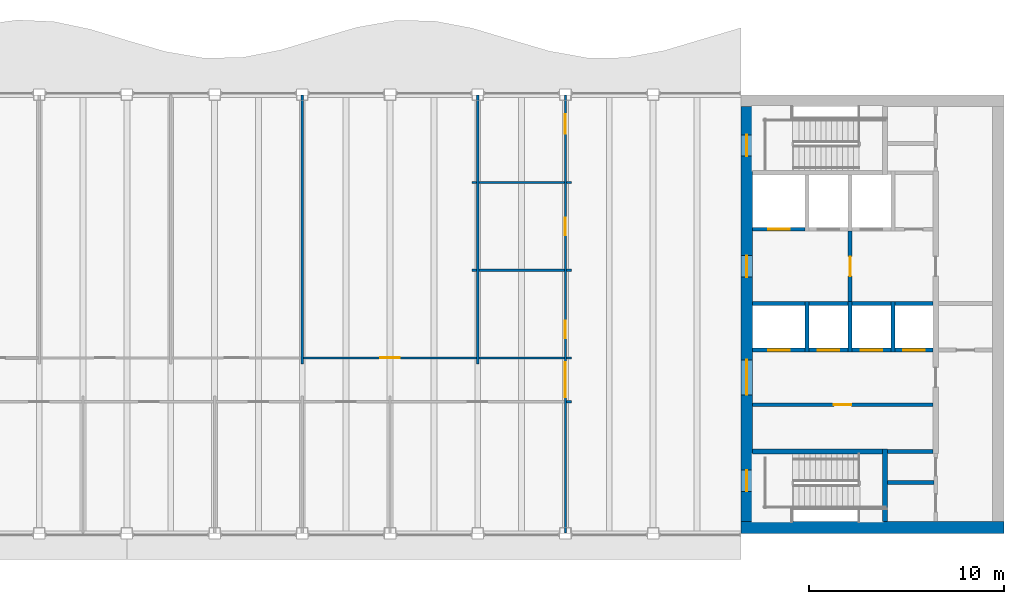
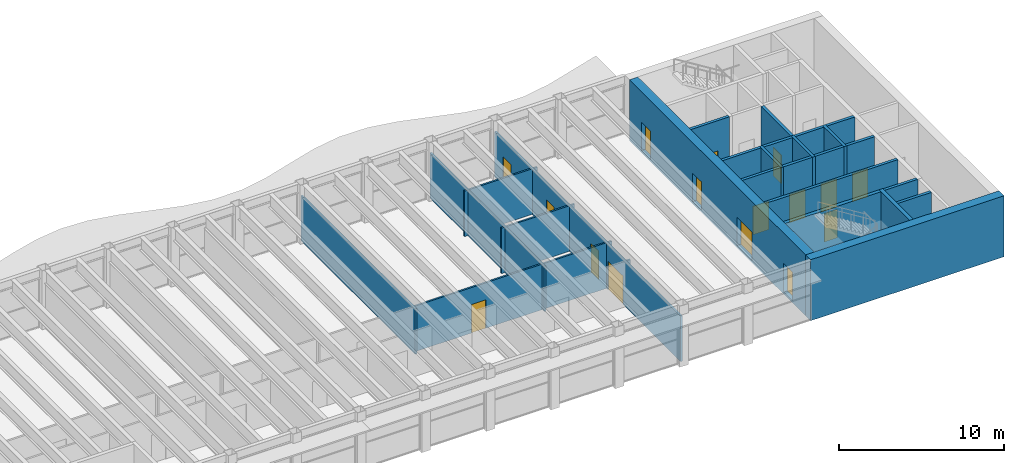
# One storey, part 9 of 14: 33 walls, 16 doors, 16 openings.
"""IFC4 building model written with IfcOpenShell, lengths in metres."""

import ifcopenshell
import ifcopenshell.guid

model = None  # the IFC model being written
_history = None  # IfcOwnerHistory: only IFC2X3 demands one
_inside = {}  # id of a spatial element -> (the spatial element, [elements in it])
_under = {}  # id of a project, library or spatial element -> (it, [spatial elements below it])
_declared = {}  # id of a project -> (the project, [libraries it declares])
_typed = {}  # id of a type object -> (the type object, [elements of that type])
_made_of = {}  # id of a material, layer set ... -> (it, [elements and type objects made of it])


def new_model(schema):
    """Start an empty IFC model of exactly this schema.

    Asked for "IFC4X3", IfcOpenShell would pick the latest addendum, in which some entities
    have other attributes; the version numbers below select the first issue.
    IFC2X3 requires an IfcOwnerHistory on every rooted entity: one is made here for all.
    """
    global model, _history
    if schema == "IFC4X3":
        model = ifcopenshell.file(schema_version=(4, 3, 0, 0))
    else:
        model = ifcopenshell.file(schema=schema)
    _inside.clear()
    _under.clear()
    _declared.clear()
    _typed.clear()
    _made_of.clear()
    _history = None
    if model.schema == "IFC2X3":
        org = make("IfcOrganization", Name="unknown")
        user = make(
            "IfcPersonAndOrganization",
            ThePerson=make("IfcPerson", FamilyName="unknown"),
            TheOrganization=org,
        )
        app = make(
            "IfcApplication",
            ApplicationDeveloper=org,
            Version="unknown",
            ApplicationFullName="unknown",
            ApplicationIdentifier="unknown",
        )
        _history = make(
            "IfcOwnerHistory",
            OwningUser=user,
            OwningApplication=app,
            ChangeAction="ADDED",
            CreationDate=0,
        )
    return model


def make(cls, **values):
    """One entity of the class cls with the attributes given. An attribute that is None is left unset."""
    return model.create_entity(
        cls, **{name: value for name, value in values.items() if value is not None}
    )


def rooted(cls, **values):
    """An entity with a GlobalId (a new one), such as an element, a storey or a relation."""
    return make(cls, GlobalId=ifcopenshell.guid.new(), OwnerHistory=_history, **values)


def si_unit(unit_type, name, prefix=None):
    """IfcSIUnit, for example si_unit("LENGTHUNIT", "METRE", prefix="MILLI")."""
    return make("IfcSIUnit", UnitType=unit_type, Prefix=prefix, Name=name)


def assignment(units):
    """IfcUnitAssignment: the units of a project."""
    return None if units is None else make("IfcUnitAssignment", Units=units)


def point(xyz):
    """IfcCartesianPoint."""
    return None if xyz is None else make("IfcCartesianPoint", Coordinates=xyz)


def direction(xyz):
    """IfcDirection."""
    return None if xyz is None else make("IfcDirection", DirectionRatios=xyz)


def frame(location, z_axis=None, x_axis=None):
    """IfcAxis2Placement3D, a coordinate frame: its origin and axes. An axis left out is left unset."""
    return make(
        "IfcAxis2Placement3D",
        Location=point(location),
        Axis=direction(z_axis),
        RefDirection=direction(x_axis),
    )


def frame_2d(location, x_axis=None):
    """IfcAxis2Placement2D, a coordinate frame in the plane: its origin and x axis."""
    return make(
        "IfcAxis2Placement2D", Location=point(location), RefDirection=direction(x_axis)
    )


def origin():
    """The frame at (0, 0, 0) with its axes left unset."""
    return frame((0.0, 0.0, 0.0))


def place(relative_to, where):
    """IfcLocalPlacement: puts the frame where relative to a parent placement (None: the world)."""
    return make(
        "IfcLocalPlacement", PlacementRelTo=relative_to, RelativePlacement=where
    )


def context(
    kind, dimensions, precision=None, world=None, true_north=None, identifier=None
):
    """IfcGeometricRepresentationContext, for example the 3D "Model" context."""
    return make(
        "IfcGeometricRepresentationContext",
        ContextIdentifier=identifier,
        ContextType=kind,
        CoordinateSpaceDimension=dimensions,
        Precision=precision,
        WorldCoordinateSystem=world,
        TrueNorth=true_north,
    )


def subcontext(parent, identifier, kind, view, scale=None):
    """IfcGeometricRepresentationSubContext, for example "Body" below "Model"."""
    return make(
        "IfcGeometricRepresentationSubContext",
        ContextIdentifier=identifier,
        ContextType=kind,
        ParentContext=parent,
        TargetScale=scale,
        TargetView=view,
    )


def project(units=None, contexts=None):
    """IfcProject with its units and contexts."""
    return rooted(
        "IfcProject",
        Name="project",
        RepresentationContexts=contexts,
        UnitsInContext=assignment(units),
    )


def spatial(cls, under=None, at=None, **own):
    """A site, building, storey or space (cls), placed at a placement, below another one or the project."""
    s = rooted(cls, ObjectPlacement=at, **own)
    if under is not None:
        _under.setdefault(under.id(), (under, []))[1].append(s)
    return s


def profile(cls, at=None, kind="AREA", **sizes):
    """A parametric profile (cls). Its sizes go by their IFC names, for example OverallWidth=200.0."""
    return make(cls, ProfileType=kind, Position=at, **sizes)


def rectangle(**sizes):
    """IfcRectangleProfileDef."""
    return profile("IfcRectangleProfileDef", **sizes)


def extrude(swept, where, along, depth):
    """IfcExtrudedAreaSolid: the profile swept, set in the frame where, extruded along a direction by depth."""
    return make(
        "IfcExtrudedAreaSolid",
        SweptArea=swept,
        Position=where,
        ExtrudedDirection=direction(along),
        Depth=depth,
    )


def shape(context_of_items, identifier, shape_type, items):
    """IfcShapeRepresentation: the items that make up one representation, for example the "Body"."""
    return make(
        "IfcShapeRepresentation",
        ContextOfItems=context_of_items,
        RepresentationIdentifier=identifier,
        RepresentationType=shape_type,
        Items=items,
    )


def material(Name=None, Category=None):
    """IfcMaterial."""
    return make("IfcMaterial", Name=Name, Category=Category)


def layer(
    of_material, thickness, ventilated=None, Name=None, Category=None, Priority=None
):
    """IfcMaterialLayer: one layer of a wall or slab, of a material (None: an air gap)."""
    return make(
        "IfcMaterialLayer",
        Material=of_material,
        LayerThickness=thickness,
        IsVentilated=ventilated,
        Name=Name,
        Category=Category,
        Priority=Priority,
    )


def layer_set(layers, Name=None):
    """IfcMaterialLayerSet."""
    return make("IfcMaterialLayerSet", MaterialLayers=layers, LayerSetName=Name)


def made_of(thing, what):
    """Note that an element or type object is made of a material, layer set ...; save() writes the relation."""
    if what is not None:
        _made_of.setdefault(what.id(), (what, []))[1].append(thing)
    return thing


def type_object(cls, material=None, **own):
    """A type object (cls), such as IfcWallType, which elements share."""
    return made_of(rooted(cls, **own), material)


def element(
    cls,
    number,
    at=None,
    inside=None,
    cuts=None,
    type_object=None,
    material=None,
    context=None,
    identifier="Body",
    shape_type=None,
    held_by="IfcProductDefinitionShape",
    body=None,
    shapes=None,
    **own,
):
    """One element of the class cls, such as IfcWall. Its Tag is "e" and its number.

    at: its placement. inside: the storey or other place that contains it. cuts: it is an
    opening in that element (IfcRelVoidsElement). A single representation is given by context,
    identifier, shape_type and body (its items); several are given by shapes. held_by: the class
    of the entity that holds the representations. save() writes the other relations.
    """
    e = rooted(cls, Tag="e%d" % number, ObjectPlacement=at, **own)
    if body is not None:
        shapes = [shape(context, identifier, shape_type, body)]
    if shapes is not None:
        e.Representation = make(held_by, Representations=shapes)
    if inside is not None:
        _inside.setdefault(inside.id(), (inside, []))[1].append(e)
    if cuts is not None:
        rooted(
            "IfcRelVoidsElement", RelatingBuildingElement=cuts, RelatedOpeningElement=e
        )
    if type_object is not None:
        _typed.setdefault(type_object.id(), (type_object, []))[1].append(e)
    return made_of(e, material)


def fill(opening, filler):
    """IfcRelFillsElement: the door or window that sits in an opening."""
    return rooted(
        "IfcRelFillsElement",
        RelatingOpeningElement=opening,
        RelatedBuildingElement=filler,
    )


def aggregate(whole, parts):
    """IfcRelAggregates: a whole, such as a stair, and the parts it consists of."""
    return rooted("IfcRelAggregates", RelatingObject=whole, RelatedObjects=parts)


def save(model, path):
    """Write the relations noted so far, then the file.

    IfcRelAggregates (storeys below a building ...), IfcRelContainedInSpatialStructure (elements
    in a storey), IfcRelDefinesByType, IfcRelAssociatesMaterial and IfcRelDeclares: one each for
    every whole, place, type object, material and project.
    """
    for whole, parts in _under.values():
        aggregate(whole, parts)
    for where, things in _inside.values():
        rooted(
            "IfcRelContainedInSpatialStructure",
            RelatedElements=things,
            RelatingStructure=where,
        )
    for kind, things in _typed.values():
        rooted("IfcRelDefinesByType", RelatedObjects=things, RelatingType=kind)
    for what, things in _made_of.values():
        rooted("IfcRelAssociatesMaterial", RelatedObjects=things, RelatingMaterial=what)
    for by, libraries in _declared.values():
        rooted("IfcRelDeclares", RelatingContext=by, RelatedDefinitions=libraries)
    model.write(path)


model = new_model("IFC4")

# Units and contexts
model_context = context("Model", 3, precision=1e-05, world=origin(), true_north=direction((0.0, 1.0)))
body_context = subcontext(model_context, "Body", "Model", "MODEL_VIEW")
ifc_project = project(units=[si_unit("LENGTHUNIT", "METRE"), si_unit("AREAUNIT", "SQUARE_METRE"), si_unit("VOLUMEUNIT", "CUBIC_METRE"), si_unit("PLANEANGLEUNIT", "RADIAN"), si_unit("MASSUNIT", "GRAM", prefix="KILO")], contexts=[model_context])

# Site, building, storey
site_placement = place(None, origin())
site = spatial("IfcSite", under=ifc_project, at=site_placement, CompositionType="ELEMENT")
building_placement = place(site_placement, origin())
building = spatial("IfcBuilding", under=site, at=building_placement, Name="Sennacour Bend Tower", CompositionType="ELEMENT")
storey_placement = place(building_placement, frame((0.0, 0.0, 336.5)))
storey = spatial("IfcBuildingStorey", under=building, at=storey_placement, Name="L77", CompositionType="ELEMENT", Elevation=336.5)

# Wall
ifc_material_1 = material(Name="Concrete C50/60", Category="concrete")
ifc_layer_1 = layer(ifc_material_1, 0.60009765625, Name="Concrete C50/60", Category="concrete")
ifc_layer_set_1 = layer_set([ifc_layer_1], Name="Concrete C50/60")
wall_type_1 = type_object("IfcWallType", Name="Core wall 600 C50/60", PredefinedType="SHEAR", material=ifc_layer_set_1)
wall_1_placement = place(storey_placement, frame((67.5, 0.300048828125, -0.14990234375), z_axis=(0.0, 0.0, 1.0), x_axis=(-1.0, 0.0, 0.0)))
element("IfcWall", 1, at=wall_1_placement, inside=storey, type_object=wall_type_1, Name="Core A wall L77 S", PredefinedType="SHEAR", context=body_context, shape_type="SweptSolid", body=[
    extrude(rectangle(XDim=13.5, YDim=0.60009765625, at=frame_2d((6.75, 0.0))), origin(), (0.0, 0.0, 1.0), 4.5),
])

# Wall, openings, doors
wall_2_placement = place(storey_placement, frame((54.300048828125, 0.60009765625, -0.14990234375), z_axis=(0.0, 0.0, 1.0), x_axis=(0.0, 1.0, 0.0)))
wall_2 = element("IfcWall", 2, at=wall_2_placement, inside=storey, type_object=wall_type_1, Name="Core A wall L77 W", PredefinedType="SHEAR", context=body_context, shape_type="SweptSolid", body=[
    extrude(rectangle(XDim=21.2998046875, YDim=0.60009765625, at=frame_2d((10.64990234375, 0.0))), origin(), (0.0, 0.0, 1.0), 4.5),
])
opening_1_placement = place(wall_2_placement, frame((6.5, 0.0, 0.14990234375)))
opening_1 = element("IfcOpeningElement", 3, at=opening_1_placement, cuts=wall_2, Name="Opening CD", PredefinedType="OPENING", context=body_context, shape_type="SweptSolid", body=[
    extrude(rectangle(XDim=1.800048828125, YDim=2.10009765625, at=frame_2d((0.89990234375, 1.050048828125))), frame((0.0, 0.31005859375, 0.0), z_axis=(0.0, -1.0, 0.0), x_axis=(1.0, 0.0, 0.0)), (0.0, 0.0, 1.0), 0.6201171875),
])
opening_2_placement = place(wall_2_placement, frame((12.550048828125, 0.0, 0.14990234375)))
opening_2 = element("IfcOpeningElement", 4, at=opening_2_placement, cuts=wall_2, Name="Opening FD", PredefinedType="OPENING", context=body_context, shape_type="SweptSolid", body=[
    extrude(rectangle(XDim=1.10009765625, YDim=2.10009765625, at=frame_2d((0.550048828125, 1.050048828125))), frame((0.0, 0.31005859375, 0.0), z_axis=(0.0, -1.0, 0.0), x_axis=(1.0, 0.0, 0.0)), (0.0, 0.0, 1.0), 0.6201171875),
])
opening_3_placement = place(wall_2_placement, frame((1.550048828125, 0.0, 0.14990234375)))
opening_3 = element("IfcOpeningElement", 5, at=opening_3_placement, cuts=wall_2, Name="Opening SD", PredefinedType="OPENING", context=body_context, shape_type="SweptSolid", body=[
    extrude(rectangle(XDim=1.10009765625, YDim=2.10009765625, at=frame_2d((0.550048828125, 1.050048828125))), frame((0.0, 0.31005859375, 0.0), z_axis=(0.0, -1.0, 0.0), x_axis=(1.0, 0.0, 0.0)), (0.0, 0.0, 1.0), 0.6201171875),
])
opening_4_placement = place(wall_2_placement, frame((18.75, 0.0, 0.14990234375)))
opening_4 = element("IfcOpeningElement", 6, at=opening_4_placement, cuts=wall_2, Name="Opening SD", PredefinedType="OPENING", context=body_context, shape_type="SweptSolid", body=[
    extrude(rectangle(XDim=1.10009765625, YDim=2.10009765625, at=frame_2d((0.550048828125, 1.050048828125))), frame((0.0, 0.31005859375, 0.0), z_axis=(0.0, -1.0, 0.0), x_axis=(1.0, 0.0, 0.0)), (0.0, 0.0, 1.0), 0.6201171875),
])
ifc_material_2 = material(Name="Painted steel", Category="steel")
door_type_1 = type_object("IfcDoorType", Name="DR-FFL-1100", OperationType="NOTDEFINED", PredefinedType="DOOR", material=ifc_material_2)
door_1_placement = place(opening_2_placement, origin())
door_1 = element("IfcDoor", 7, at=door_1_placement, inside=storey, type_object=door_type_1, Name="Door", OperationType="SINGLE_SWING_RIGHT", OverallHeight=2.10009765625, OverallWidth=1.10009765625, PredefinedType="DOOR", context=body_context, shape_type="SweptSolid", body=[
    extrude(rectangle(XDim=1.10009765625, YDim=2.10009765625, at=frame_2d((0.550048828125, 1.050048828125))), frame((0.0, 0.02490234375, 0.0), z_axis=(0.0, -1.0, 0.0), x_axis=(1.0, 0.0, 0.0)), (0.0, 0.0, 1.0), 0.050048828125),
])
fill(opening_2, door_1)
door_type_2 = type_object("IfcDoorType", Name="DR-LOBBY-1800", OperationType="NOTDEFINED", PredefinedType="DOOR", material=ifc_material_2)
door_2_placement = place(opening_1_placement, origin())
door_2 = element("IfcDoor", 8, at=door_2_placement, inside=storey, type_object=door_type_2, Name="Door", OperationType="DOUBLE_DOOR_SINGLE_SWING", OverallHeight=2.10009765625, OverallWidth=1.800048828125, PredefinedType="DOOR", context=body_context, shape_type="SweptSolid", body=[
    extrude(rectangle(XDim=1.800048828125, YDim=2.10009765625, at=frame_2d((0.89990234375, 1.050048828125))), frame((0.0, 0.02490234375, 0.0), z_axis=(0.0, -1.0, 0.0), x_axis=(1.0, 0.0, 0.0)), (0.0, 0.0, 1.0), 0.050048828125),
])
fill(opening_1, door_2)
door_type_3 = type_object("IfcDoorType", Name="DR-STAIR-1100", OperationType="NOTDEFINED", PredefinedType="DOOR", material=ifc_material_2)
door_3_placement = place(opening_3_placement, origin())
door_3 = element("IfcDoor", 9, at=door_3_placement, inside=storey, type_object=door_type_3, Name="Door", OperationType="SINGLE_SWING_LEFT", OverallHeight=2.10009765625, OverallWidth=1.10009765625, PredefinedType="DOOR", context=body_context, shape_type="SweptSolid", body=[
    extrude(rectangle(XDim=1.10009765625, YDim=2.10009765625, at=frame_2d((0.550048828125, 1.050048828125))), frame((0.0, 0.02490234375, 0.0), z_axis=(0.0, -1.0, 0.0), x_axis=(1.0, 0.0, 0.0)), (0.0, 0.0, 1.0), 0.050048828125),
])
fill(opening_3, door_3)
door_4_placement = place(opening_4_placement, origin())
door_4 = element("IfcDoor", 10, at=door_4_placement, inside=storey, type_object=door_type_3, Name="Door", OperationType="SINGLE_SWING_RIGHT", OverallHeight=2.10009765625, OverallWidth=1.10009765625, PredefinedType="DOOR", context=body_context, shape_type="SweptSolid", body=[
    extrude(rectangle(XDim=1.10009765625, YDim=2.10009765625, at=frame_2d((0.550048828125, 1.050048828125))), frame((0.0, 0.02490234375, 0.0), z_axis=(0.0, -1.0, 0.0), x_axis=(1.0, 0.0, 0.0)), (0.0, 0.0, 1.0), 0.050048828125),
])
fill(opening_4, door_4)

# Walls
ifc_material_3 = material(Name="Plasterboard partition on steel studs", Category="steel")
ifc_layer_2 = layer(ifc_material_3, 0.1201171875, Name="Plasterboard partition on steel studs", Category="steel")
ifc_layer_set_2 = layer_set([ifc_layer_2], Name="Plasterboard partition on steel studs")
wall_type_2 = type_object("IfcWallType", Name="Partition 120", PredefinedType="PARTITIONING", material=ifc_layer_set_2)
for number, where, z_axis, x_axis, name in (
    (11, (31.5, 8.699951171875, 0.0), (0.0, 0.0, 1.0), (0.0, 1.0, 0.0), "P-L77-W013a"),
    (12, (40.5, 8.699951171875, 0.0), (0.0, 0.0, 1.0), (0.0, 1.0, 0.0), "P-L77-W015a"),
):
    element("IfcWall", number, at=place(storey_placement, frame(where, z_axis=z_axis, x_axis=x_axis)), inside=storey, type_object=wall_type_2, Name=name, PredefinedType="PARTITIONING", context=body_context, shape_type="SweptSolid", body=[
        extrude(rectangle(XDim=13.7900390625, YDim=0.1201171875, at=frame_2d((6.89501953125, 0.0))), origin(), (0.0, 0.0, 1.0), 3.35888671875),
    ])
wall_3_placement = place(storey_placement, frame((45.06005859375, 6.75, 0.0), z_axis=(0.0, 0.0, 1.0), x_axis=(1.0, 0.0, 0.0)))
element("IfcWall", 13, at=wall_3_placement, inside=storey, type_object=wall_type_2, Name="P-L77-W037ah", PredefinedType="PARTITIONING", context=body_context, shape_type="SweptSolid", body=[
    extrude(rectangle(XDim=0.239990234375, YDim=0.1201171875, at=frame_2d((0.1201171875, 0.0))), origin(), (0.0, 0.0, 1.0), 3.35888671875),
])

# Wall, opening, door
wall_4_placement = place(storey_placement, frame((31.56005859375, 9.0, 0.0), z_axis=(0.0, 0.0, 1.0), x_axis=(1.0, 0.0, 0.0)))
wall_4 = element("IfcWall", 14, at=wall_4_placement, inside=storey, type_object=wall_type_2, Name="P-L77-W038ae", PredefinedType="PARTITIONING", context=body_context, shape_type="SweptSolid", body=[
    extrude(rectangle(XDim=8.8798828125, YDim=0.1201171875, at=frame_2d((4.43994140625, 0.0))), origin(), (0.0, 0.0, 1.0), 3.35888671875),
])
opening_5_placement = place(wall_4_placement, frame((3.93994140625, 0.0, 0.0)))
opening_5 = element("IfcOpeningElement", 15, at=opening_5_placement, cuts=wall_4, Name="Opening MD2", PredefinedType="OPENING", context=body_context, shape_type="SweptSolid", body=[
    extrude(rectangle(XDim=1.0, YDim=2.10009765625, at=frame_2d((0.5, 1.050048828125))), frame((0.0, 0.070068359375, 0.0), z_axis=(0.0, -1.0, 0.0), x_axis=(1.0, 0.0, 0.0)), (0.0, 0.0, 1.0), 0.14013671875),
])
ifc_material_4 = material(Name="Timber", Category="wood")
door_type_4 = type_object("IfcDoorType", Name="DR-MEETING-1000", OperationType="NOTDEFINED", PredefinedType="DOOR", material=ifc_material_4)
door_5_placement = place(opening_5_placement, origin())
door_5 = element("IfcDoor", 16, at=door_5_placement, inside=storey, type_object=door_type_4, Name="Door", OperationType="SINGLE_SWING_LEFT", OverallHeight=2.10009765625, OverallWidth=1.0, PredefinedType="DOOR", context=body_context, shape_type="SweptSolid", body=[
    extrude(rectangle(XDim=1.0, YDim=2.10009765625, at=frame_2d((0.5, 1.050048828125))), frame((0.0, 0.02490234375, 0.0), z_axis=(0.0, -1.0, 0.0), x_axis=(1.0, 0.0, 0.0)), (0.0, 0.0, 1.0), 0.050048828125),
])
fill(opening_5, door_5)

# Walls
wall_5_placement = place(storey_placement, frame((40.56005859375, 9.0, 0.0), z_axis=(0.0, 0.0, 1.0), x_axis=(1.0, 0.0, 0.0)))
element("IfcWall", 17, at=wall_5_placement, inside=storey, type_object=wall_type_2, Name="P-L77-W038af", PredefinedType="PARTITIONING", context=body_context, shape_type="SweptSolid", body=[
    extrude(rectangle(XDim=4.3798828125, YDim=0.1201171875, at=frame_2d((2.18994140625, 0.0))), origin(), (0.0, 0.0, 1.0), 3.35888671875),
])
for number, where, z_axis, x_axis, name in (
    (18, (45.06005859375, 9.0, 0.0), (0.0, 0.0, 1.0), (1.0, 0.0, 0.0), "P-L77-W038ag"),
    (19, (40.199951171875, 13.5, 0.0), (0.0, 0.0, 1.0), (1.0, 0.0, 0.0), "P-L77-W043aa"),
):
    element("IfcWall", number, at=place(storey_placement, frame(where, z_axis=z_axis, x_axis=x_axis)), inside=storey, type_object=wall_type_2, Name=name, PredefinedType="PARTITIONING", context=body_context, shape_type="SweptSolid", body=[
        extrude(rectangle(XDim=0.239990234375, YDim=0.1201171875, at=frame_2d((0.1201171875, 0.0))), origin(), (0.0, 0.0, 1.0), 3.35888671875),
    ])
wall_6_placement = place(storey_placement, frame((40.56005859375, 13.5, 0.0), z_axis=(0.0, 0.0, 1.0), x_axis=(1.0, 0.0, 0.0)))
element("IfcWall", 20, at=wall_6_placement, inside=storey, type_object=wall_type_2, Name="P-L77-W043ab", PredefinedType="PARTITIONING", context=body_context, shape_type="SweptSolid", body=[
    extrude(rectangle(XDim=4.3798828125, YDim=0.1201171875, at=frame_2d((2.18994140625, 0.0))), origin(), (0.0, 0.0, 1.0), 3.35888671875),
])
for number, where, z_axis, x_axis, name in (
    (21, (45.06005859375, 13.5, 0.0), (0.0, 0.0, 1.0), (1.0, 0.0, 0.0), "P-L77-W043ac"),
    (22, (40.199951171875, 18.0, 0.0), (0.0, 0.0, 1.0), (1.0, 0.0, 0.0), "P-L77-W046aa"),
):
    element("IfcWall", number, at=place(storey_placement, frame(where, z_axis=z_axis, x_axis=x_axis)), inside=storey, type_object=wall_type_2, Name=name, PredefinedType="PARTITIONING", context=body_context, shape_type="SweptSolid", body=[
        extrude(rectangle(XDim=0.239990234375, YDim=0.1201171875, at=frame_2d((0.1201171875, 0.0))), origin(), (0.0, 0.0, 1.0), 3.35888671875),
    ])
wall_7_placement = place(storey_placement, frame((40.56005859375, 18.0, 0.0), z_axis=(0.0, 0.0, 1.0), x_axis=(1.0, 0.0, 0.0)))
element("IfcWall", 23, at=wall_7_placement, inside=storey, type_object=wall_type_2, Name="P-L77-W046ab", PredefinedType="PARTITIONING", context=body_context, shape_type="SweptSolid", body=[
    extrude(rectangle(XDim=4.3798828125, YDim=0.1201171875, at=frame_2d((2.18994140625, 0.0))), origin(), (0.0, 0.0, 1.0), 3.35888671875),
])
wall_8_placement = place(storey_placement, frame((45.06005859375, 18.0, 0.0), z_axis=(0.0, 0.0, 1.0), x_axis=(1.0, 0.0, 0.0)))
element("IfcWall", 24, at=wall_8_placement, inside=storey, type_object=wall_type_2, Name="P-L77-W046ac", PredefinedType="PARTITIONING", context=body_context, shape_type="SweptSolid", body=[
    extrude(rectangle(XDim=0.239990234375, YDim=0.1201171875, at=frame_2d((0.1201171875, 0.0))), origin(), (0.0, 0.0, 1.0), 3.35888671875),
])

# Wall, openings, doors
ifc_layer_3 = layer(ifc_material_3, 0.1201171875, Name="Plasterboard partition on steel studs", Category="steel")
ifc_layer_set_3 = layer_set([ifc_layer_3], Name="Plasterboard partition on steel studs")
wall_type_3 = type_object("IfcWallType", Name="Partition 120 EI 30", PredefinedType="PARTITIONING", material=ifc_layer_set_3)
wall_9_placement = place(storey_placement, frame((45.0, 0.010009765625, 0.0), z_axis=(0.0, 0.0, 1.0), x_axis=(0.0, 1.0, 0.0)))
wall_9 = element("IfcWall", 25, at=wall_9_placement, inside=storey, type_object=wall_type_3, Name="P-L77-W016a", PredefinedType="PARTITIONING", context=body_context, shape_type="SweptSolid", body=[
    extrude(rectangle(XDim=22.47998046875, YDim=0.1201171875, at=frame_2d((11.239990234375, 0.0))), origin(), (0.0, 0.0, 1.0), 3.35888671875),
])
opening_6_placement = place(wall_9_placement, frame((6.965087890625, 0.0, 0.0)))
opening_6 = element("IfcOpeningElement", 26, at=opening_6_placement, cuts=wall_9, Name="Opening KD3", PredefinedType="OPENING", context=body_context, shape_type="SweptSolid", body=[
    extrude(rectangle(XDim=1.800048828125, YDim=2.10009765625, at=frame_2d((0.89990234375, 1.050048828125))), frame((0.0, 0.070068359375, 0.0), z_axis=(0.0, -1.0, 0.0), x_axis=(1.0, 0.0, 0.0)), (0.0, 0.0, 1.0), 0.14013671875),
])
opening_7_placement = place(wall_9_placement, frame((9.989990234375, 0.0, 0.0)))
opening_7 = element("IfcOpeningElement", 27, at=opening_7_placement, cuts=wall_9, Name="Opening WD", PredefinedType="OPENING", context=body_context, shape_type="SweptSolid", body=[
    extrude(rectangle(XDim=0.89990234375, YDim=2.10009765625, at=frame_2d((0.449951171875, 1.050048828125))), frame((0.0, 0.070068359375, 0.0), z_axis=(0.0, -1.0, 0.0), x_axis=(1.0, 0.0, 0.0)), (0.0, 0.0, 1.0), 0.14013671875),
])
opening_8_placement = place(wall_9_placement, frame((15.2900390625, 0.0, 0.0)))
opening_8 = element("IfcOpeningElement", 28, at=opening_8_placement, cuts=wall_9, Name="Opening WD", PredefinedType="OPENING", context=body_context, shape_type="SweptSolid", body=[
    extrude(rectangle(XDim=0.89990234375, YDim=2.10009765625, at=frame_2d((0.449951171875, 1.050048828125))), frame((0.0, 0.070068359375, 0.0), z_axis=(0.0, -1.0, 0.0), x_axis=(1.0, 0.0, 0.0)), (0.0, 0.0, 1.0), 0.14013671875),
])
opening_9_placement = place(wall_9_placement, frame((20.489990234375, 0.0, 0.0)))
opening_9 = element("IfcOpeningElement", 29, at=opening_9_placement, cuts=wall_9, Name="Opening AD", PredefinedType="OPENING", context=body_context, shape_type="SweptSolid", body=[
    extrude(rectangle(XDim=1.0, YDim=2.10009765625, at=frame_2d((0.5, 1.050048828125))), frame((0.0, 0.070068359375, 0.0), z_axis=(0.0, -1.0, 0.0), x_axis=(1.0, 0.0, 0.0)), (0.0, 0.0, 1.0), 0.14013671875),
])
door_type_5 = type_object("IfcDoorType", Name="DR-ACC-WC-1000", OperationType="NOTDEFINED", PredefinedType="DOOR", material=ifc_material_4)
door_6_placement = place(opening_9_placement, origin())
door_6 = element("IfcDoor", 30, at=door_6_placement, inside=storey, type_object=door_type_5, Name="Door", OperationType="SINGLE_SWING_RIGHT", OverallHeight=2.10009765625, OverallWidth=1.0, PredefinedType="DOOR", context=body_context, shape_type="SweptSolid", body=[
    extrude(rectangle(XDim=1.0, YDim=2.10009765625, at=frame_2d((0.5, 1.050048828125))), frame((0.0, 0.02490234375, 0.0), z_axis=(0.0, -1.0, 0.0), x_axis=(1.0, 0.0, 0.0)), (0.0, 0.0, 1.0), 0.050048828125),
])
fill(opening_9, door_6)
door_type_6 = type_object("IfcDoorType", Name="DR-CORRIDOR-1800", OperationType="NOTDEFINED", PredefinedType="DOOR", material=ifc_material_2)
door_7_placement = place(opening_6_placement, origin())
door_7 = element("IfcDoor", 31, at=door_7_placement, inside=storey, type_object=door_type_6, Name="Door", OperationType="DOUBLE_DOOR_SINGLE_SWING", OverallHeight=2.10009765625, OverallWidth=1.800048828125, PredefinedType="DOOR", context=body_context, shape_type="SweptSolid", body=[
    extrude(rectangle(XDim=1.800048828125, YDim=2.10009765625, at=frame_2d((0.89990234375, 1.050048828125))), frame((0.0, 0.02490234375, 0.0), z_axis=(0.0, -1.0, 0.0), x_axis=(1.0, 0.0, 0.0)), (0.0, 0.0, 1.0), 0.050048828125),
])
fill(opening_6, door_7)
door_type_7 = type_object("IfcDoorType", Name="DR-WC-900", OperationType="NOTDEFINED", PredefinedType="DOOR", material=ifc_material_4)
door_8_placement = place(opening_7_placement, origin())
door_8 = element("IfcDoor", 32, at=door_8_placement, inside=storey, type_object=door_type_7, Name="Door", OperationType="SINGLE_SWING_LEFT", OverallHeight=2.10009765625, OverallWidth=0.89990234375, PredefinedType="DOOR", context=body_context, shape_type="SweptSolid", body=[
    extrude(rectangle(XDim=0.89990234375, YDim=2.10009765625, at=frame_2d((0.449951171875, 1.050048828125))), frame((0.0, 0.02490234375, 0.0), z_axis=(0.0, -1.0, 0.0), x_axis=(1.0, 0.0, 0.0)), (0.0, 0.0, 1.0), 0.050048828125),
])
fill(opening_7, door_8)
door_9_placement = place(opening_8_placement, origin())
door_9 = element("IfcDoor", 33, at=door_9_placement, inside=storey, type_object=door_type_7, Name="Door", OperationType="SINGLE_SWING_RIGHT", OverallHeight=2.10009765625, OverallWidth=0.89990234375, PredefinedType="DOOR", context=body_context, shape_type="SweptSolid", body=[
    extrude(rectangle(XDim=0.89990234375, YDim=2.10009765625, at=frame_2d((0.449951171875, 1.050048828125))), frame((0.0, 0.02490234375, 0.0), z_axis=(0.0, -1.0, 0.0), x_axis=(1.0, 0.0, 0.0)), (0.0, 0.0, 1.0), 0.050048828125),
])
fill(opening_8, door_9)

# Walls
ifc_material_5 = material(Name="Fire-rated plasterboard partition on steel studs", Category="steel")
ifc_layer_4 = layer(ifc_material_5, 0.199951171875, Name="Fire-rated plasterboard partition on steel studs", Category="steel")
ifc_layer_set_4 = layer_set([ifc_layer_4], Name="Fire-rated plasterboard partition on steel studs")
wall_type_4 = type_object("IfcWallType", Name="Rated partition 200", PredefinedType="PARTITIONING", material=ifc_layer_set_4)
wall_10_placement = place(storey_placement, frame((61.52490234375, 2.60009765625, 0.0), z_axis=(0.0, 0.0, 1.0), x_axis=(1.0, 0.0, 0.0)))
element("IfcWall", 34, at=wall_10_placement, inside=storey, type_object=wall_type_4, Name="P-L77-W031", PredefinedType="PARTITIONING", context=body_context, shape_type="SweptSolid", body=[
    extrude(rectangle(XDim=2.375, YDim=0.199951171875, at=frame_2d((1.1875, 0.0))), origin(), (0.0, 0.0, 1.0), 4.35009765625),
])
wall_11_placement = place(storey_placement, frame((61.52490234375, 4.199951171875, 0.0), z_axis=(0.0, 0.0, 1.0), x_axis=(1.0, 0.0, 0.0)))
element("IfcWall", 35, at=wall_11_placement, inside=storey, type_object=wall_type_4, Name="P-L77-W035", PredefinedType="PARTITIONING", context=body_context, shape_type="SweptSolid", body=[
    extrude(rectangle(XDim=2.3251953125, YDim=0.199951171875, at=frame_2d((1.16259765625, 0.0))), origin(), (0.0, 0.0, 1.0), 4.35009765625),
])

# Wall, opening, door
wall_12_placement = place(storey_placement, frame((54.60009765625, 6.60009765625, 0.0), z_axis=(0.0, 0.0, 1.0), x_axis=(1.0, 0.0, 0.0)))
wall_12 = element("IfcWall", 36, at=wall_12_placement, inside=storey, type_object=wall_type_4, Name="P-L77-W036", PredefinedType="PARTITIONING", context=body_context, shape_type="SweptSolid", body=[
    extrude(rectangle(XDim=9.25, YDim=0.199951171875, at=frame_2d((4.625, 0.0))), origin(), (0.0, 0.0, 1.0), 4.35009765625),
])
opening_10_placement = place(wall_12_placement, frame((4.1748046875, 0.0, 0.0)))
opening_10 = element("IfcOpeningElement", 37, at=opening_10_placement, cuts=wall_12, Name="Opening SV", PredefinedType="OPENING", context=body_context, shape_type="SweptSolid", body=[
    extrude(rectangle(XDim=0.89990234375, YDim=2.10009765625, at=frame_2d((0.449951171875, 1.050048828125))), frame((0.0, 0.10986328125, 0.0), z_axis=(0.0, -1.0, 0.0), x_axis=(1.0, 0.0, 0.0)), (0.0, 0.0, 1.0), 0.219970703125),
])
door_type_8 = type_object("IfcDoorType", Name="DR-SERVICE-900", OperationType="NOTDEFINED", PredefinedType="DOOR", material=ifc_material_2)
door_10_placement = place(opening_10_placement, origin())
door_10 = element("IfcDoor", 38, at=door_10_placement, inside=storey, type_object=door_type_8, Name="Door", OperationType="SINGLE_SWING_LEFT", OverallHeight=2.10009765625, OverallWidth=0.89990234375, PredefinedType="DOOR", context=body_context, shape_type="SweptSolid", body=[
    extrude(rectangle(XDim=0.89990234375, YDim=2.10009765625, at=frame_2d((0.449951171875, 1.050048828125))), frame((0.0, 0.02490234375, 0.0), z_axis=(0.0, -1.0, 0.0), x_axis=(1.0, 0.0, 0.0)), (0.0, 0.0, 1.0), 0.050048828125),
])
fill(opening_10, door_10)

ifc_layer_5 = layer(ifc_material_5, 0.199951171875, Name="Fire-rated plasterboard partition on steel studs", Category="steel")
ifc_layer_set_5 = layer_set([ifc_layer_5], Name="Fire-rated plasterboard partition on steel studs")
wall_type_5 = type_object("IfcWallType", Name="Rated partition 200 EI 90", PredefinedType="PARTITIONING", material=ifc_layer_set_5)
wall_13_placement = place(storey_placement, frame((59.60009765625, 11.89990234375, 0.0), z_axis=(0.0, 0.0, 1.0), x_axis=(0.0, 1.0, 0.0)))
wall_13 = element("IfcWall", 39, at=wall_13_placement, inside=storey, type_object=wall_type_5, Name="P-L77-W020", PredefinedType="PARTITIONING", context=body_context, shape_type="SweptSolid", body=[
    extrude(rectangle(XDim=3.60009765625, YDim=0.199951171875, at=frame_2d((1.800048828125, 0.0))), origin(), (0.0, 0.0, 1.0), 4.35009765625),
])
opening_11_placement = place(wall_13_placement, frame((1.300048828125, 0.0, 0.0)))
opening_11 = element("IfcOpeningElement", 40, at=opening_11_placement, cuts=wall_13, Name="Opening FD2", PredefinedType="OPENING", context=body_context, shape_type="SweptSolid", body=[
    extrude(rectangle(XDim=1.0, YDim=2.10009765625, at=frame_2d((0.5, 1.050048828125))), frame((0.0, 0.10986328125, 0.0), z_axis=(0.0, -1.0, 0.0), x_axis=(1.0, 0.0, 0.0)), (0.0, 0.0, 1.0), 0.219970703125),
])
door_type_9 = type_object("IfcDoorType", Name="DR-FFL-1000", OperationType="NOTDEFINED", PredefinedType="DOOR", material=ifc_material_2)
door_11_placement = place(opening_11_placement, origin())
door_11 = element("IfcDoor", 41, at=door_11_placement, inside=storey, type_object=door_type_9, Name="Door", OperationType="SINGLE_SWING_LEFT", OverallHeight=2.10009765625, OverallWidth=1.0, PredefinedType="DOOR", context=body_context, shape_type="SweptSolid", body=[
    extrude(rectangle(XDim=1.0, YDim=2.10009765625, at=frame_2d((0.5, 1.050048828125))), frame((0.0, 0.02490234375, 0.0), z_axis=(0.0, -1.0, 0.0), x_axis=(1.0, 0.0, 0.0)), (0.0, 0.0, 1.0), 0.050048828125),
])
fill(opening_11, door_11)

# Walls
ifc_layer_6 = layer(ifc_material_1, 0.199951171875, Name="Concrete C50/60", Category="concrete")
ifc_layer_set_6 = layer_set([ifc_layer_6], Name="Concrete C50/60")
wall_type_6 = type_object("IfcWallType", Name="Shaft wall 200", PredefinedType="SOLIDWALL", material=ifc_layer_set_6)
for number, where, z_axis, x_axis, name in (
    (42, (57.39990234375, 9.300048828125, 0.0), (0.0, 0.0, 1.0), (0.0, 1.0, 0.0), "P-L77-W017"),
    (43, (59.60009765625, 9.300048828125, 0.0), (0.0, 0.0, 1.0), (0.0, 1.0, 0.0), "P-L77-W019"),
    (44, (61.800048828125, 9.300048828125, 0.0), (0.0, 0.0, 1.0), (0.0, 1.0, 0.0), "P-L77-W024"),
):
    element("IfcWall", number, at=place(storey_placement, frame(where, z_axis=z_axis, x_axis=x_axis)), inside=storey, type_object=wall_type_6, Name=name, PredefinedType="SOLIDWALL", context=body_context, shape_type="SweptSolid", body=[
        extrude(rectangle(XDim=2.599853515625, YDim=0.199951171875, at=frame_2d((1.2998046875, 0.0))), origin(), (0.0, 0.0, 1.0), 4.35009765625),
    ])

# Wall, opening, door
wall_14_placement = place(storey_placement, frame((54.60009765625, 9.39990234375, 0.0), z_axis=(0.0, 0.0, 1.0), x_axis=(1.0, 0.0, 0.0)))
wall_14 = element("IfcWall", 45, at=wall_14_placement, inside=storey, type_object=wall_type_6, Name="P-L77-W039a", PredefinedType="SOLIDWALL", context=body_context, shape_type="SweptSolid", body=[
    extrude(rectangle(XDim=2.699951171875, YDim=0.199951171875, at=frame_2d((1.35009765625, 0.0))), origin(), (0.0, 0.0, 1.0), 4.35009765625),
])
opening_12_placement = place(wall_14_placement, frame((0.7998046875, 0.0, 0.011962890625)))
opening_12 = element("IfcOpeningElement", 46, at=opening_12_placement, cuts=wall_14, Name="Opening LD", PredefinedType="OPENING", context=body_context, shape_type="SweptSolid", body=[
    extrude(rectangle(XDim=1.10009765625, YDim=2.10009765625, at=frame_2d((0.550048828125, 1.050048828125))), frame((0.0, 0.10986328125, 0.0), z_axis=(0.0, -1.0, 0.0), x_axis=(1.0, 0.0, 0.0)), (0.0, 0.0, 1.0), 0.219970703125),
])
ifc_material_6 = material(Name="Stainless steel", Category="steel")
door_type_10 = type_object("IfcDoorType", Name="DR-LANDING-1100", OperationType="NOTDEFINED", PredefinedType="DOOR", material=ifc_material_6)
door_12_placement = place(opening_12_placement, origin())
door_12 = element("IfcDoor", 47, at=door_12_placement, inside=storey, type_object=door_type_10, Name="Lift landing door HA1", OperationType="SLIDING_TO_LEFT", OverallHeight=2.10009765625, OverallWidth=1.10009765625, PredefinedType="DOOR", context=body_context, shape_type="SweptSolid", body=[
    extrude(rectangle(XDim=1.10009765625, YDim=2.10009765625, at=frame_2d((0.550048828125, 1.050048828125))), frame((0.0, 0.02490234375, 0.0), z_axis=(0.0, -1.0, 0.0), x_axis=(1.0, 0.0, 0.0)), (0.0, 0.0, 1.0), 0.050048828125),
])
fill(opening_12, door_12)

wall_15_placement = place(storey_placement, frame((57.5, 9.39990234375, 0.0), z_axis=(0.0, 0.0, 1.0), x_axis=(1.0, 0.0, 0.0)))
wall_15 = element("IfcWall", 48, at=wall_15_placement, inside=storey, type_object=wall_type_6, Name="P-L77-W039b", PredefinedType="SOLIDWALL", context=body_context, shape_type="SweptSolid", body=[
    extrude(rectangle(XDim=2.0, YDim=0.199951171875, at=frame_2d((1.0, 0.0))), origin(), (0.0, 0.0, 1.0), 4.35009765625),
])
opening_13_placement = place(wall_15_placement, frame((0.449951171875, 0.0, 0.011962890625)))
opening_13 = element("IfcOpeningElement", 49, at=opening_13_placement, cuts=wall_15, Name="Opening LD", PredefinedType="OPENING", context=body_context, shape_type="SweptSolid", body=[
    extrude(rectangle(XDim=1.10009765625, YDim=2.10009765625, at=frame_2d((0.550048828125, 1.050048828125))), frame((0.0, 0.10986328125, 0.0), z_axis=(0.0, -1.0, 0.0), x_axis=(1.0, 0.0, 0.0)), (0.0, 0.0, 1.0), 0.219970703125),
])
door_13_placement = place(opening_13_placement, origin())
door_13 = element("IfcDoor", 50, at=door_13_placement, inside=storey, type_object=door_type_10, Name="Lift landing door HA2", OperationType="SLIDING_TO_RIGHT", OverallHeight=2.10009765625, OverallWidth=1.10009765625, PredefinedType="DOOR", context=body_context, shape_type="SweptSolid", body=[
    extrude(rectangle(XDim=1.10009765625, YDim=2.10009765625, at=frame_2d((0.550048828125, 1.050048828125))), frame((0.0, 0.02490234375, 0.0), z_axis=(0.0, -1.0, 0.0), x_axis=(1.0, 0.0, 0.0)), (0.0, 0.0, 1.0), 0.050048828125),
])
fill(opening_13, door_13)

wall_16_placement = place(storey_placement, frame((59.699951171875, 9.39990234375, 0.0), z_axis=(0.0, 0.0, 1.0), x_axis=(1.0, 0.0, 0.0)))
wall_16 = element("IfcWall", 51, at=wall_16_placement, inside=storey, type_object=wall_type_6, Name="P-L77-W039c", PredefinedType="SOLIDWALL", context=body_context, shape_type="SweptSolid", body=[
    extrude(rectangle(XDim=2.0, YDim=0.199951171875, at=frame_2d((1.0, 0.0))), origin(), (0.0, 0.0, 1.0), 4.35009765625),
])
opening_14_placement = place(wall_16_placement, frame((0.449951171875, 0.0, 0.011962890625)))
opening_14 = element("IfcOpeningElement", 52, at=opening_14_placement, cuts=wall_16, Name="Opening LD", PredefinedType="OPENING", context=body_context, shape_type="SweptSolid", body=[
    extrude(rectangle(XDim=1.10009765625, YDim=2.10009765625, at=frame_2d((0.550048828125, 1.050048828125))), frame((0.0, 0.10986328125, 0.0), z_axis=(0.0, -1.0, 0.0), x_axis=(1.0, 0.0, 0.0)), (0.0, 0.0, 1.0), 0.219970703125),
])
door_14_placement = place(opening_14_placement, origin())
door_14 = element("IfcDoor", 53, at=door_14_placement, inside=storey, type_object=door_type_10, Name="Lift landing door HA3", OperationType="SLIDING_TO_LEFT", OverallHeight=2.10009765625, OverallWidth=1.10009765625, PredefinedType="DOOR", context=body_context, shape_type="SweptSolid", body=[
    extrude(rectangle(XDim=1.10009765625, YDim=2.10009765625, at=frame_2d((0.550048828125, 1.050048828125))), frame((0.0, 0.02490234375, 0.0), z_axis=(0.0, -1.0, 0.0), x_axis=(1.0, 0.0, 0.0)), (0.0, 0.0, 1.0), 0.050048828125),
])
fill(opening_14, door_14)

wall_17_placement = place(storey_placement, frame((61.89990234375, 9.39990234375, 0.0), z_axis=(0.0, 0.0, 1.0), x_axis=(1.0, 0.0, 0.0)))
wall_17 = element("IfcWall", 54, at=wall_17_placement, inside=storey, type_object=wall_type_6, Name="P-L77-W039d", PredefinedType="SOLIDWALL", context=body_context, shape_type="SweptSolid", body=[
    extrude(rectangle(XDim=1.9501953125, YDim=0.199951171875, at=frame_2d((0.97509765625, 0.0))), origin(), (0.0, 0.0, 1.0), 4.35009765625),
])
opening_15_placement = place(wall_17_placement, frame((0.425048828125, 0.0, 0.011962890625)))
opening_15 = element("IfcOpeningElement", 55, at=opening_15_placement, cuts=wall_17, Name="Opening LD", PredefinedType="OPENING", context=body_context, shape_type="SweptSolid", body=[
    extrude(rectangle(XDim=1.10009765625, YDim=2.10009765625, at=frame_2d((0.550048828125, 1.050048828125))), frame((0.0, 0.10986328125, 0.0), z_axis=(0.0, -1.0, 0.0), x_axis=(1.0, 0.0, 0.0)), (0.0, 0.0, 1.0), 0.219970703125),
])
door_15_placement = place(opening_15_placement, origin())
door_15 = element("IfcDoor", 56, at=door_15_placement, inside=storey, type_object=door_type_10, Name="Lift landing door HA4", OperationType="SLIDING_TO_RIGHT", OverallHeight=2.10009765625, OverallWidth=1.10009765625, PredefinedType="DOOR", context=body_context, shape_type="SweptSolid", body=[
    extrude(rectangle(XDim=1.10009765625, YDim=2.10009765625, at=frame_2d((0.550048828125, 1.050048828125))), frame((0.0, 0.02490234375, 0.0), z_axis=(0.0, -1.0, 0.0), x_axis=(1.0, 0.0, 0.0)), (0.0, 0.0, 1.0), 0.050048828125),
])
fill(opening_15, door_15)

# Walls
wall_18_placement = place(storey_placement, frame((54.60009765625, 11.800048828125, 0.0), z_axis=(0.0, 0.0, 1.0), x_axis=(1.0, 0.0, 0.0)))
element("IfcWall", 57, at=wall_18_placement, inside=storey, type_object=wall_type_6, Name="P-L77-W041a", PredefinedType="SOLIDWALL", context=body_context, shape_type="SweptSolid", body=[
    extrude(rectangle(XDim=2.699951171875, YDim=0.199951171875, at=frame_2d((1.35009765625, 0.0))), origin(), (0.0, 0.0, 1.0), 4.35009765625),
])
for number, where, z_axis, x_axis, name in (
    (58, (57.5, 11.800048828125, 0.0), (0.0, 0.0, 1.0), (1.0, 0.0, 0.0), "P-L77-W041b"),
    (59, (59.699951171875, 11.800048828125, 0.0), (0.0, 0.0, 1.0), (1.0, 0.0, 0.0), "P-L77-W041c"),
):
    element("IfcWall", number, at=place(storey_placement, frame(where, z_axis=z_axis, x_axis=x_axis)), inside=storey, type_object=wall_type_6, Name=name, PredefinedType="SOLIDWALL", context=body_context, shape_type="SweptSolid", body=[
        extrude(rectangle(XDim=2.0, YDim=0.199951171875, at=frame_2d((1.0, 0.0))), origin(), (0.0, 0.0, 1.0), 4.35009765625),
    ])
wall_19_placement = place(storey_placement, frame((61.89990234375, 11.800048828125, 0.0), z_axis=(0.0, 0.0, 1.0), x_axis=(1.0, 0.0, 0.0)))
element("IfcWall", 60, at=wall_19_placement, inside=storey, type_object=wall_type_6, Name="P-L77-W041d", PredefinedType="SOLIDWALL", context=body_context, shape_type="SweptSolid", body=[
    extrude(rectangle(XDim=1.9501953125, YDim=0.199951171875, at=frame_2d((0.97509765625, 0.0))), origin(), (0.0, 0.0, 1.0), 4.35009765625),
])

# Wall, opening, door
wall_20_placement = place(storey_placement, frame((54.60009765625, 15.60009765625, 0.0), z_axis=(0.0, 0.0, 1.0), x_axis=(1.0, 0.0, 0.0)))
wall_20 = element("IfcWall", 61, at=wall_20_placement, inside=storey, type_object=wall_type_6, Name="P-L77-W044a", PredefinedType="SOLIDWALL", context=body_context, shape_type="SweptSolid", body=[
    extrude(rectangle(XDim=2.699951171875, YDim=0.199951171875, at=frame_2d((1.35009765625, 0.0))), origin(), (0.0, 0.0, 1.0), 4.35009765625),
])
opening_16_placement = place(wall_20_placement, frame((0.7998046875, 0.0, 0.011962890625)))
opening_16 = element("IfcOpeningElement", 62, at=opening_16_placement, cuts=wall_20, Name="Opening FLD", PredefinedType="OPENING", context=body_context, shape_type="SweptSolid", body=[
    extrude(rectangle(XDim=1.10009765625, YDim=2.10009765625, at=frame_2d((0.550048828125, 1.050048828125))), frame((0.0, 0.10986328125, 0.0), z_axis=(0.0, -1.0, 0.0), x_axis=(1.0, 0.0, 0.0)), (0.0, 0.0, 1.0), 0.219970703125),
])
door_type_11 = type_object("IfcDoorType", Name="DR-FF-LANDING-1100", OperationType="NOTDEFINED", PredefinedType="DOOR", material=ifc_material_6)
door_16_placement = place(opening_16_placement, origin())
door_16 = element("IfcDoor", 63, at=door_16_placement, inside=storey, type_object=door_type_11, Name="Fire service lift landing door FA1", OperationType="SLIDING_TO_LEFT", OverallHeight=2.10009765625, OverallWidth=1.10009765625, PredefinedType="DOOR", context=body_context, shape_type="SweptSolid", body=[
    extrude(rectangle(XDim=1.10009765625, YDim=2.10009765625, at=frame_2d((0.550048828125, 1.050048828125))), frame((0.0, 0.02490234375, 0.0), z_axis=(0.0, -1.0, 0.0), x_axis=(1.0, 0.0, 0.0)), (0.0, 0.0, 1.0), 0.050048828125),
])
fill(opening_16, door_16)

# Walls
ifc_material_7 = material(Name="Concrete C60/75", Category="concrete")
ifc_layer_7 = layer(ifc_material_7, 0.25, Name="Concrete C60/75", Category="concrete")
ifc_layer_set_7 = layer_set([ifc_layer_7], Name="Concrete C60/75")
wall_type_7 = type_object("IfcWallType", Name="Stair wall 250", PredefinedType="SHEAR", material=ifc_layer_set_7)
wall_21_placement = place(storey_placement, frame((61.39990234375, 0.60009765625, 0.0), z_axis=(0.0, 0.0, 1.0), x_axis=(0.0, 1.0, 0.0)))
element("IfcWall", 64, at=wall_21_placement, inside=storey, type_object=wall_type_7, Name="P-L77-W022", PredefinedType="SHEAR", context=body_context, shape_type="SweptSolid", body=[
    extrude(rectangle(XDim=3.724853515625, YDim=0.25, at=frame_2d((1.8623046875, 0.0))), origin(), (0.0, 0.0, 1.0), 4.35009765625),
])
wall_22_placement = place(storey_placement, frame((54.60009765625, 4.199951171875, 0.0), z_axis=(0.0, 0.0, 1.0), x_axis=(1.0, 0.0, 0.0)))
element("IfcWall", 65, at=wall_22_placement, inside=storey, type_object=wall_type_7, Name="P-L77-W034", PredefinedType="SHEAR", context=body_context, shape_type="SweptSolid", body=[
    extrude(rectangle(XDim=6.6748046875, YDim=0.25, at=frame_2d((3.33740234375, 0.0))), origin(), (0.0, 0.0, 1.0), 4.35009765625),
])

save(model, "model.ifc")
